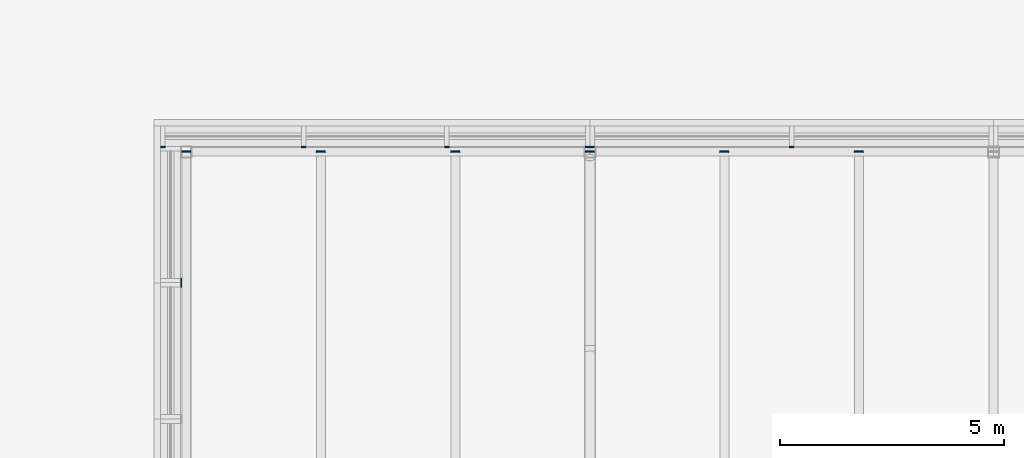
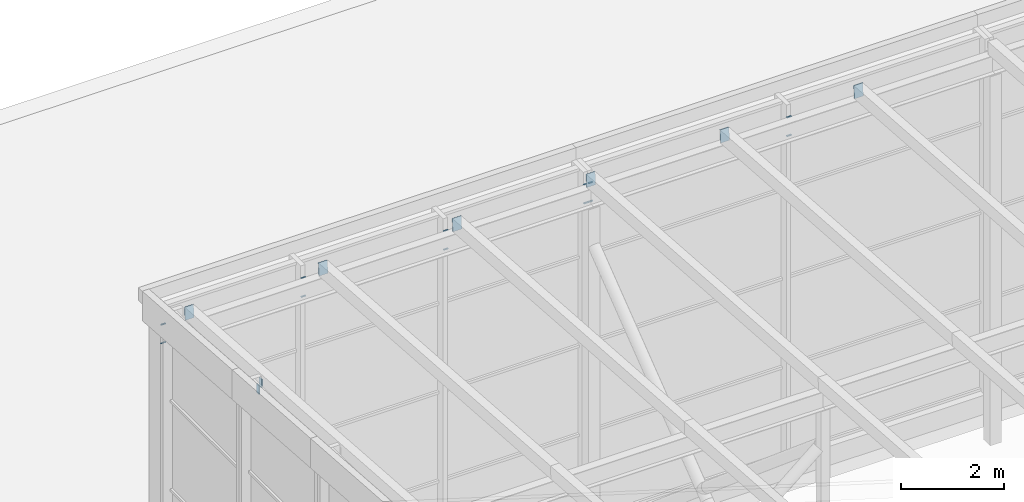
# One storey, part 74 of 84: 20 discrete accessories.
"""IFC4 building model written with IfcOpenShell, lengths in metres."""

from ifc_helpers import new_model, si_unit, direction, frame, origin, origin_2d, place, context, subcontext, project, spatial, rectangle, extrude, material, layer, layer_set, type_object, element, save


model = new_model("IFC4")

# Units and contexts
model_context = context("Model", 3, precision=1e-05, world=origin(), true_north=direction((0.0, 1.0)))
body_context = subcontext(model_context, "Body", "Model", "MODEL_VIEW")
ifc_project = project(units=[si_unit("LENGTHUNIT", "METRE"), si_unit("AREAUNIT", "SQUARE_METRE"), si_unit("VOLUMEUNIT", "CUBIC_METRE"), si_unit("PLANEANGLEUNIT", "RADIAN"), si_unit("MASSUNIT", "GRAM", prefix="KILO")], contexts=[model_context])

# Site, building, storey
site_placement = place(None, origin())
site = spatial("IfcSite", under=ifc_project, at=site_placement, CompositionType="ELEMENT")
building_placement = place(site_placement, origin())
building = spatial("IfcBuilding", under=site, at=building_placement, Name="Silverbay Arena", CompositionType="ELEMENT")
storey_placement = place(building_placement, frame((0.0, 0.0, 47.10009765625)))
storey = spatial("IfcBuildingStorey", under=building, at=storey_placement, Name="ROOF", CompositionType="ELEMENT", Elevation=47.10009765625)

# Discrete accessories
ifc_material_1 = material(Name="Steel S355", Category="steel")
ifc_layer = layer(ifc_material_1, 0.011962890625)
ifc_layer_set = layer_set([ifc_layer], Name="Steel S355")
discrete_accessory_type_1 = type_object("IfcDiscreteAccessoryType", Name="Purlin end plate 12", PredefinedType="USERDEFINED", material=ifc_layer_set)
for number, where, z_axis, x_axis, name in (
    (1, (81.0, 135.0, 8.74951171875), (0.0, 0.996684615823, -0.081362009455), (-1.0, 0.0, 0.0), "Purlin end plate"),
    (2, (84.0, 135.0, 8.74951171875), (0.0, 0.996684615823, -0.081362009455), (-1.0, 0.0, 0.0), "Purlin end plate"),
    (3, (87.0, 135.0, 8.74951171875), (0.0, 0.996684615823, -0.081362009455), (-1.0, 0.0, 0.0), "Purlin end plate"),
    (4, (90.0, 135.0, 8.74951171875), (0.0, 0.996684615823, -0.081362009455), (-1.0, 0.0, 0.0), "Purlin end plate"),
    (5, (93.0, 135.0, 8.74951171875), (0.0, 0.996684615823, -0.081362009455), (-1.0, 0.0, 0.0), "Purlin end plate"),
    (6, (96.0, 135.0, 8.74951171875), (0.0, 0.996684615823, -0.081362009455), (-1.0, 0.0, 0.0), "Purlin end plate"),
):
    element("IfcDiscreteAccessory", number, at=place(storey_placement, frame(where, z_axis=z_axis, x_axis=x_axis)), inside=storey, type_object=discrete_accessory_type_1, Name=name, ObjectType="END PLATE", PredefinedType="USERDEFINED", context=body_context, shape_type="SweptSolid", body=[
        extrude(rectangle(XDim=0.199951171875, YDim=0.300048828125, at=origin_2d()), origin(), (0.0, 0.0, 1.0), 0.011962890625),
    ])
ifc_material_2 = material(Name="Steel S355", Category="steel")
discrete_accessory_type_2 = type_object("IfcDiscreteAccessoryType", Name="Steel bracket plate", PredefinedType="BRACKET", material=ifc_material_2)
for number, where, z_axis, x_axis, name in (
    (7, (80.47509765625, 135.10986328125, 8.58642578125), (0.0, 0.0, 1.0), (1.0, 0.0, 0.0), "Curtain wall packing plate"),
    (8, (80.47509765625, 135.10986328125, 8.145751953125), (0.0, 0.0, 1.0), (1.0, 0.0, 0.0), "Curtain wall packing plate"),
    (9, (83.61669921875, 135.10986328125, 8.58642578125), (0.0, 0.0, 1.0), (1.0, 0.0, 0.0), "Curtain wall packing plate"),
    (10, (83.61669921875, 135.10986328125, 8.145751953125), (0.0, 0.0, 1.0), (1.0, 0.0, 0.0), "Curtain wall packing plate"),
    (11, (86.808349609375, 135.10986328125, 8.58642578125), (0.0, 0.0, 1.0), (1.0, 0.0, 0.0), "Curtain wall packing plate"),
    (12, (86.808349609375, 135.10986328125, 8.145751953125), (0.0, 0.0, 1.0), (1.0, 0.0, 0.0), "Curtain wall packing plate"),
    (13, (89.949951171875, 135.10986328125, 8.58642578125), (0.0, 0.0, 1.0), (1.0, 0.0, 0.0), "Curtain wall packing plate"),
    (14, (89.949951171875, 135.10986328125, 8.145751953125), (0.0, 0.0, 1.0), (1.0, 0.0, 0.0), "Curtain wall packing plate"),
    (15, (90.050048828125, 135.10986328125, 8.58642578125), (0.0, 0.0, 1.0), (1.0, 0.0, 0.0), "Curtain wall packing plate"),
    (16, (90.050048828125, 135.10986328125, 8.145751953125), (0.0, 0.0, 1.0), (1.0, 0.0, 0.0), "Curtain wall packing plate"),
    (17, (94.5, 135.10986328125, 8.58642578125), (0.0, 0.0, 1.0), (1.0, 0.0, 0.0), "Curtain wall packing plate"),
    (18, (94.5, 135.10986328125, 8.145751953125), (0.0, 0.0, 1.0), (1.0, 0.0, 0.0), "Curtain wall packing plate"),
):
    element("IfcDiscreteAccessory", number, at=place(storey_placement, frame(where, z_axis=z_axis, x_axis=x_axis)), inside=storey, type_object=discrete_accessory_type_2, Name=name, PredefinedType="BRACKET", context=body_context, shape_type="SweptSolid", body=[
        extrude(rectangle(XDim=0.10009765625, YDim=0.030029296875, at=origin_2d()), origin(), (0.0, 0.0, 1.0), 0.0126953125),
    ])
for number, where, z_axis, x_axis, name in (
    (19, (80.887451171875, 132.033447265625, 8.83056640625), (0.0, 0.0, 1.0), (1.0, 0.0, 0.0), "Curtain wall packing plate"),
    (20, (80.887451171875, 132.13330078125, 8.61083984375), (0.0, 0.0, 1.0), (1.0, 0.0, 0.0), "Curtain wall packing plate"),
):
    element("IfcDiscreteAccessory", number, at=place(storey_placement, frame(where, z_axis=z_axis, x_axis=x_axis)), inside=storey, type_object=discrete_accessory_type_2, Name=name, PredefinedType="BRACKET", context=body_context, shape_type="SweptSolid", body=[
        extrude(rectangle(XDim=0.02490234375, YDim=0.10009765625, at=origin_2d()), origin(), (0.0, 0.0, 1.0), 0.199951171875),
    ])

save(model, "model.ifc")
